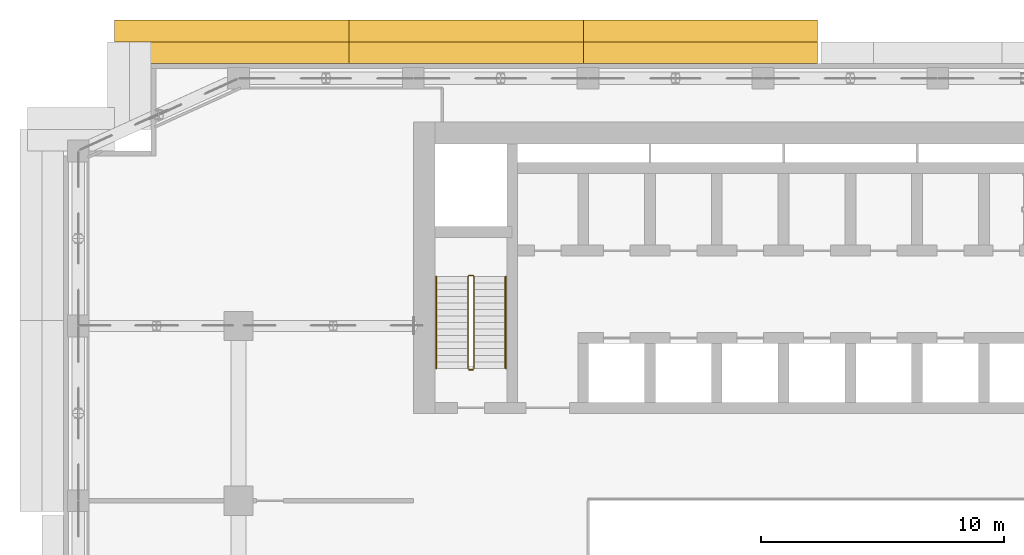
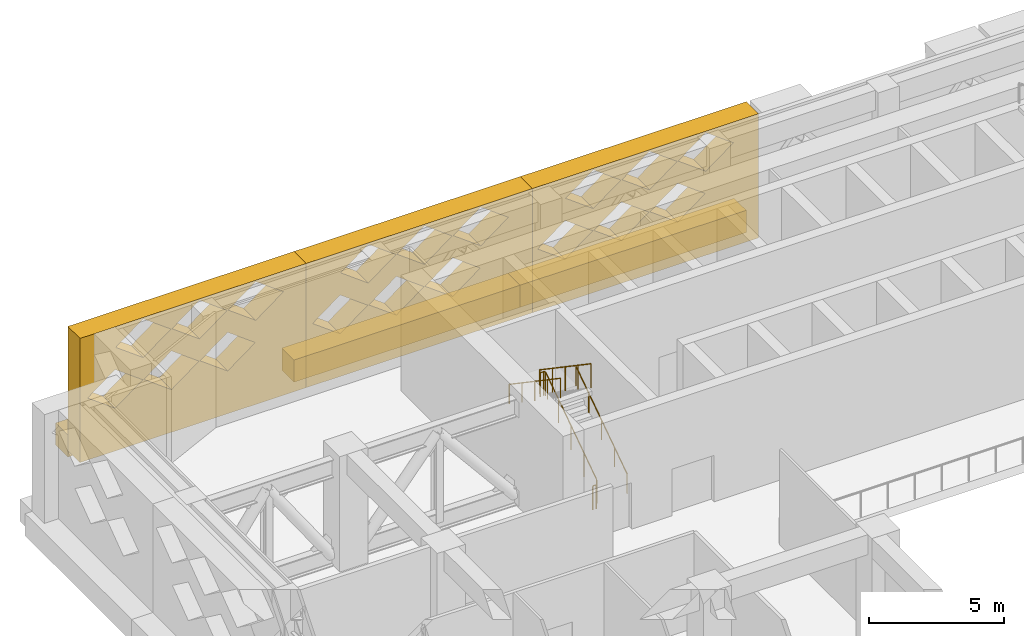
# One storey, part 17 of 19: 6 coverings, 4 railings.
"""IFC4 building model written with IfcOpenShell, lengths in metres."""

from ifc_helpers import new_model, si_unit, direction, frame, origin, origin_2d, place, context, subcontext, project, spatial, polyline, circle, outline, extrude, material, layer, layer_set, type_object, element, save


model = new_model("IFC4")

# Units and contexts
model_context = context("Model", 3, precision=1e-05, world=origin(), true_north=direction((0.0, 1.0)))
body_context = subcontext(model_context, "Body", "Model", "MODEL_VIEW")
ifc_project = project(units=[si_unit("LENGTHUNIT", "METRE"), si_unit("AREAUNIT", "SQUARE_METRE"), si_unit("VOLUMEUNIT", "CUBIC_METRE"), si_unit("PLANEANGLEUNIT", "RADIAN"), si_unit("MASSUNIT", "GRAM", prefix="KILO")], contexts=[model_context])

# Site, building, storey
site_placement = place(None, origin())
site = spatial("IfcSite", under=ifc_project, at=site_placement, CompositionType="ELEMENT")
building_placement = place(site_placement, origin())
building = spatial("IfcBuilding", under=site, at=building_placement, Name="Saffron Iwan Residences", CompositionType="ELEMENT")
storey_placement = place(building_placement, frame((0.0, 0.0, 107.5)))
storey = spatial("IfcBuildingStorey", under=building, at=storey_placement, Name="L28", CompositionType="ELEMENT", Elevation=107.5)

# Coverings
ifc_material_1 = material(Name="Precast concrete C40/50", Category="concrete")
covering_type_1 = type_object("IfcCoveringType", Name="OUTER SKIN LATTICE SCREEN", PredefinedType="CLADDING", material=ifc_material_1)
covering_1_placement = place(storey_placement, frame((45.449951171875, 80.39990234375, -0.39990234375), z_axis=(0.0, 1.0, 0.0), x_axis=(-1.0, 0.0, 0.0)))
element("IfcCovering", 1, at=covering_1_placement, inside=storey, type_object=covering_type_1, Name="OUTER SKIN lattice screen L28 F5.2", PredefinedType="CLADDING", context=body_context, shape_type="SweptSolid", body=[
    extrude(outline(polyline([(0.0, 0.0), (9.64990234375, 0.0), (9.64990234375, 5.60009765625), (0.0, 5.60009765625), (0.0, 0.0)]), holes=[polyline([(2.27001953125, 2.800048828125), (3.449951171875, 1.9267578125), (4.6298828125, 2.800048828125), (3.449951171875, 3.67333984375), (2.27001953125, 2.800048828125)]), polyline([(4.669921875, 2.800048828125), (5.85009765625, 1.9267578125), (7.030029296875, 2.800048828125), (5.85009765625, 3.67333984375), (4.669921875, 2.800048828125)]), polyline([(7.070068359375, 2.800048828125), (8.25, 1.9267578125), (9.429931640625, 2.800048828125), (8.25, 3.67333984375), (7.070068359375, 2.800048828125)]), polyline([(1.070068359375, 4.666748046875), (2.25, 3.793212890625), (3.429931640625, 4.666748046875), (2.25, 5.5400390625), (1.070068359375, 4.666748046875)]), polyline([(3.469970703125, 4.666748046875), (4.64990234375, 3.793212890625), (5.830078125, 4.666748046875), (4.64990234375, 5.5400390625), (3.469970703125, 4.666748046875)]), polyline([(5.8701171875, 4.666748046875), (7.050048828125, 3.793212890625), (8.22998046875, 4.666748046875), (7.050048828125, 5.5400390625), (5.8701171875, 4.666748046875)])]), origin(), (0.0, 0.0, 1.0), 0.900146484375),
])
covering_2_placement = place(storey_placement, frame((35.800048828125, 80.39990234375, -0.39990234375), z_axis=(0.0, 1.0, 0.0), x_axis=(-1.0, 0.0, 0.0)))
element("IfcCovering", 2, at=covering_2_placement, inside=storey, type_object=covering_type_1, Name="OUTER SKIN lattice screen L28 F5.3", PredefinedType="CLADDING", context=body_context, shape_type="SweptSolid", body=[
    extrude(outline(polyline([(0.0, 0.0), (9.64990234375, 0.0), (9.64990234375, 5.60009765625), (0.0, 5.60009765625), (0.0, 0.0)]), holes=[polyline([(2.219970703125, 2.800048828125), (3.39990234375, 1.9267578125), (4.580078125, 2.800048828125), (3.39990234375, 3.67333984375), (2.219970703125, 2.800048828125)]), polyline([(4.6201171875, 2.800048828125), (5.800048828125, 1.9267578125), (6.97998046875, 2.800048828125), (5.800048828125, 3.67333984375), (4.6201171875, 2.800048828125)]), polyline([(7.02001953125, 2.800048828125), (8.199951171875, 1.9267578125), (9.3798828125, 2.800048828125), (8.199951171875, 3.67333984375), (7.02001953125, 2.800048828125)]), polyline([(1.02001953125, 4.666748046875), (2.199951171875, 3.793212890625), (3.3798828125, 4.666748046875), (2.199951171875, 5.5400390625), (1.02001953125, 4.666748046875)]), polyline([(3.419921875, 4.666748046875), (4.60009765625, 3.793212890625), (5.780029296875, 4.666748046875), (4.60009765625, 5.5400390625), (3.419921875, 4.666748046875)]), polyline([(5.820068359375, 4.666748046875), (7.0, 3.793212890625), (8.179931640625, 4.666748046875), (7.0, 5.5400390625), (5.820068359375, 4.666748046875)])]), origin(), (0.0, 0.0, 1.0), 0.900146484375),
])
covering_3_placement = place(storey_placement, frame((26.14990234375, 80.39990234375, -0.39990234375), z_axis=(0.0, 1.0, 0.0), x_axis=(-1.0, 0.0, 0.0)))
element("IfcCovering", 3, at=covering_3_placement, inside=storey, type_object=covering_type_1, Name="OUTER SKIN lattice screen L28 F5.4", PredefinedType="CLADDING", context=body_context, shape_type="SweptSolid", body=[
    extrude(outline(polyline([(0.0, 0.0), (9.64990234375, 0.0), (9.64990234375, 5.60009765625), (0.0, 5.60009765625), (0.0, 0.0)]), holes=[polyline([(2.169921875, 2.800048828125), (3.35009765625, 1.9267578125), (4.530029296875, 2.800048828125), (3.35009765625, 3.67333984375), (2.169921875, 2.800048828125)]), polyline([(4.570068359375, 2.800048828125), (5.75, 1.9267578125), (6.929931640625, 2.800048828125), (5.75, 3.67333984375), (4.570068359375, 2.800048828125)]), polyline([(6.969970703125, 2.800048828125), (8.14990234375, 1.9267578125), (9.330078125, 2.800048828125), (8.14990234375, 3.67333984375), (6.969970703125, 2.800048828125)]), polyline([(0.969970703125, 4.666748046875), (2.14990234375, 3.793212890625), (3.330078125, 4.666748046875), (2.14990234375, 5.5400390625), (0.969970703125, 4.666748046875)]), polyline([(3.3701171875, 4.666748046875), (4.550048828125, 3.793212890625), (5.72998046875, 4.666748046875), (4.550048828125, 5.5400390625), (3.3701171875, 4.666748046875)]), polyline([(5.77001953125, 4.666748046875), (6.949951171875, 3.793212890625), (8.1298828125, 4.666748046875), (6.949951171875, 5.5400390625), (5.77001953125, 4.666748046875)])]), origin(), (0.0, 0.0, 1.0), 0.900146484375),
])

# Railings
ifc_material_2 = material(Name="Steel S355", Category="steel")
railing_type_1 = type_object("IfcRailingType", Name="Stair guard 1100", PredefinedType="GUARDRAIL", material=ifc_material_2)
railing_1_placement = place(storey_placement, frame((31.300048828125, 67.85009765625, 0.183349609375)))
element("IfcRailing", 4, at=railing_1_placement, inside=storey, type_object=railing_type_1, Name="L28 ST-W stair guard 1", PredefinedType="GUARDRAIL", context=body_context, shape_type="SweptSolid", body=[
    extrude(circle(Radius=0.02392578125, at=origin_2d()), frame((0.0, 0.0, 1.076171875), z_axis=(0.0, 0.827293068839, 0.56177057439), x_axis=(-1.0, 0.0, 0.0)), (0.0, 0.0, 1.0), 4.56884765625),
    extrude(circle(Radius=0.02392578125, at=origin_2d()), frame((0.0, 3.77978515625, 3.642578125), z_axis=(-0.707106781187, 0.707106781187, 0.0), x_axis=(-0.707106781187, -0.707106781187, 0.0)), (0.0, 0.0, 1.0), 0.07080078125),
    extrude(circle(Radius=0.02392578125, at=origin_2d()), frame((-0.050048828125, 3.829833984375, 3.642578125), z_axis=(-1.0, 0.0, 0.0), x_axis=(0.0, -1.0, 0.0)), (0.0, 0.0, 1.0), 0.14990234375),
    extrude(circle(Radius=0.02392578125, at=origin_2d()), frame((-0.199951171875, 3.829833984375, 3.642578125), z_axis=(-0.254653276557, -0.254653276557, 0.932900539971), x_axis=(0.707106781187, -0.707106781187, 0.0)), (0.0, 0.0, 1.0), 0.196533203125),
    extrude(circle(Radius=0.02392578125, at=origin_2d()), frame((-0.25, 3.77978515625, 3.826171875), z_axis=(0.0, -0.827293068839, 0.56177057439), x_axis=(1.0, 0.0, 0.0)), (0.0, 0.0, 1.0), 4.56884765625),
    extrude(circle(Radius=0.02099609375, at=origin_2d()), origin(), (0.0, 0.0, 1.0), 1.052001953125),
    extrude(circle(Radius=0.02099609375, at=origin_2d()), frame((0.0, 0.94482421875, 0.6416015625)), (0.0, 0.0, 1.0), 1.052001953125),
    extrude(circle(Radius=0.02099609375, at=origin_2d()), frame((0.0, 1.889892578125, 1.283203125)), (0.0, 0.0, 1.0), 1.052001953125),
    extrude(circle(Radius=0.02099609375, at=origin_2d()), frame((0.0, 2.8349609375, 1.925048828125)), (0.0, 0.0, 1.0), 1.052001953125),
    extrude(circle(Radius=0.02099609375, at=origin_2d()), frame((0.0, 3.77978515625, 2.566650390625)), (0.0, 0.0, 1.0), 1.052001953125),
    extrude(circle(Radius=0.02099609375, at=origin_2d()), frame((-0.050048828125, 3.829833984375, 2.566650390625)), (0.0, 0.0, 1.0), 1.052001953125),
    extrude(circle(Radius=0.02099609375, at=origin_2d()), frame((-0.199951171875, 3.829833984375, 2.566650390625)), (0.0, 0.0, 1.0), 1.052001953125),
    extrude(circle(Radius=0.02099609375, at=origin_2d()), frame((-0.25, 3.77978515625, 2.75)), (0.0, 0.0, 1.0), 1.052001953125),
    extrude(circle(Radius=0.02099609375, at=origin_2d()), frame((-0.25, 2.8349609375, 3.3916015625)), (0.0, 0.0, 1.0), 1.052001953125),
    extrude(circle(Radius=0.02099609375, at=origin_2d()), frame((-0.25, 1.889892578125, 4.033203125)), (0.0, 0.0, 1.0), 1.052001953125),
    extrude(circle(Radius=0.02099609375, at=origin_2d()), frame((-0.25, 0.94482421875, 4.675048828125)), (0.0, 0.0, 1.0), 1.052001953125),
    extrude(circle(Radius=0.02099609375, at=origin_2d()), frame((-0.25, 0.0, 5.316650390625)), (0.0, 0.0, 1.0), 1.052001953125),
])
railing_2_placement = place(storey_placement, frame((31.25, 67.800048828125, 0.0)))
element("IfcRailing", 5, at=railing_2_placement, inside=storey, type_object=railing_type_1, Name="L28 ST-W stair guard 2", PredefinedType="GUARDRAIL", context=body_context, shape_type="SweptSolid", body=[
    extrude(circle(Radius=0.02392578125, at=origin_2d()), frame((0.0, 0.0, 1.076171875), z_axis=(-1.0, 0.0, 0.0), x_axis=(0.0, -1.0, 0.0)), (0.0, 0.0, 1.0), 0.14990234375),
    extrude(circle(Radius=0.02099609375, at=origin_2d()), origin(), (0.0, 0.0, 1.0), 1.052001953125),
    extrude(circle(Radius=0.02099609375, at=origin_2d()), frame((-0.14990234375, 0.0, 0.0)), (0.0, 0.0, 1.0), 1.052001953125),
])
ifc_material_3 = material(Name="Stainless steel 316", Category="steel")
railing_type_2 = type_object("IfcRailingType", Name="Stair handrail 900", PredefinedType="HANDRAIL", material=ifc_material_3)
railing_3_placement = place(storey_placement, frame((32.60009765625, 67.85009765625, 0.183349609375)))
element("IfcRailing", 6, at=railing_3_placement, inside=storey, type_object=railing_type_2, Name="L28 ST-W stair handrail 1", PredefinedType="HANDRAIL", context=body_context, shape_type="SweptSolid", body=[
    extrude(circle(Radius=0.02392578125, at=origin_2d()), frame((0.0, 0.0, 0.8759765625), z_axis=(0.0, 0.827293068839, 0.56177057439), x_axis=(-1.0, 0.0, 0.0)), (0.0, 0.0, 1.0), 4.56884765625),
    extrude(circle(Radius=0.02099609375, at=origin_2d()), origin(), (0.0, 0.0, 1.0), 0.851806640625),
    extrude(circle(Radius=0.02099609375, at=origin_2d()), frame((0.0, 0.94482421875, 0.6416015625)), (0.0, 0.0, 1.0), 0.851806640625),
    extrude(circle(Radius=0.02099609375, at=origin_2d()), frame((0.0, 1.889892578125, 1.283203125)), (0.0, 0.0, 1.0), 0.851806640625),
    extrude(circle(Radius=0.02099609375, at=origin_2d()), frame((0.0, 2.8349609375, 1.925048828125)), (0.0, 0.0, 1.0), 0.851806640625),
    extrude(circle(Radius=0.02099609375, at=origin_2d()), frame((0.0, 3.77978515625, 2.566650390625)), (0.0, 0.0, 1.0), 0.851806640625),
])
railing_4_placement = place(storey_placement, frame((29.75, 71.6298828125, 2.933349609375)))
element("IfcRailing", 7, at=railing_4_placement, inside=storey, type_object=railing_type_2, Name="L28 ST-W stair handrail 2", PredefinedType="HANDRAIL", context=body_context, shape_type="SweptSolid", body=[
    extrude(circle(Radius=0.02392578125, at=origin_2d()), frame((0.0, 0.0, 0.8759765625), z_axis=(0.0, -0.827293068839, 0.56177057439), x_axis=(1.0, 0.0, 0.0)), (0.0, 0.0, 1.0), 4.56884765625),
    extrude(circle(Radius=0.02099609375, at=origin_2d()), origin(), (0.0, 0.0, 1.0), 0.851806640625),
    extrude(circle(Radius=0.02099609375, at=origin_2d()), frame((0.0, -0.94482421875, 0.6416015625)), (0.0, 0.0, 1.0), 0.851806640625),
    extrude(circle(Radius=0.02099609375, at=origin_2d()), frame((0.0, -1.889892578125, 1.283203125)), (0.0, 0.0, 1.0), 0.851806640625),
    extrude(circle(Radius=0.02099609375, at=origin_2d()), frame((0.0, -2.8349609375, 1.925048828125)), (0.0, 0.0, 1.0), 0.851806640625),
    extrude(circle(Radius=0.02099609375, at=origin_2d()), frame((0.0, -3.77978515625, 2.566650390625)), (0.0, 0.0, 1.0), 0.851806640625),
])

# Coverings
ifc_material_4 = material(Name="Precast concrete C40/50 white painted", Category="concrete")
ifc_layer = layer(ifc_material_4, 0.89990234375)
ifc_layer_set = layer_set([ifc_layer], Name="Precast concrete C40/50 white painted")
covering_type_2 = type_object("IfcCoveringType", Name="WHITE EDGE BAND 900 x 1000", PredefinedType="CLADDING", material=ifc_layer_set)
covering_4_placement = place(storey_placement, frame((0.0, 0.0, -0.699951171875)))
element("IfcCovering", 8, at=covering_4_placement, inside=storey, type_object=covering_type_2, Name="White edge band L28 F5.2", PredefinedType="CLADDING", context=body_context, shape_type="SweptSolid", body=[
    extrude(outline(polyline([(45.449951171875, 82.199951171875), (35.800048828125, 82.199951171875), (35.800048828125, 81.300048828125), (45.449951171875, 81.300048828125), (45.449951171875, 82.199951171875)])), origin(), (0.0, 0.0, 1.0), 1.0),
])
covering_5_placement = place(storey_placement, frame((0.0, 0.0, -0.699951171875)))
element("IfcCovering", 9, at=covering_5_placement, inside=storey, type_object=covering_type_2, Name="White edge band L28 F5.3", PredefinedType="CLADDING", context=body_context, shape_type="SweptSolid", body=[
    extrude(outline(polyline([(35.800048828125, 82.199951171875), (26.14990234375, 82.199951171875), (26.14990234375, 81.300048828125), (35.800048828125, 81.300048828125), (35.800048828125, 82.199951171875)])), origin(), (0.0, 0.0, 1.0), 1.0),
])
covering_6_placement = place(storey_placement, frame((0.0, 0.0, -0.699951171875)))
element("IfcCovering", 10, at=covering_6_placement, inside=storey, type_object=covering_type_2, Name="White edge band L28 F5.4", PredefinedType="CLADDING", context=body_context, shape_type="SweptSolid", body=[
    extrude(outline(polyline([(26.14990234375, 82.199951171875), (16.5, 82.199951171875), (16.5, 81.300048828125), (26.14990234375, 81.300048828125), (26.14990234375, 82.199951171875)])), origin(), (0.0, 0.0, 1.0), 1.0),
])

save(model, "model.ifc")
